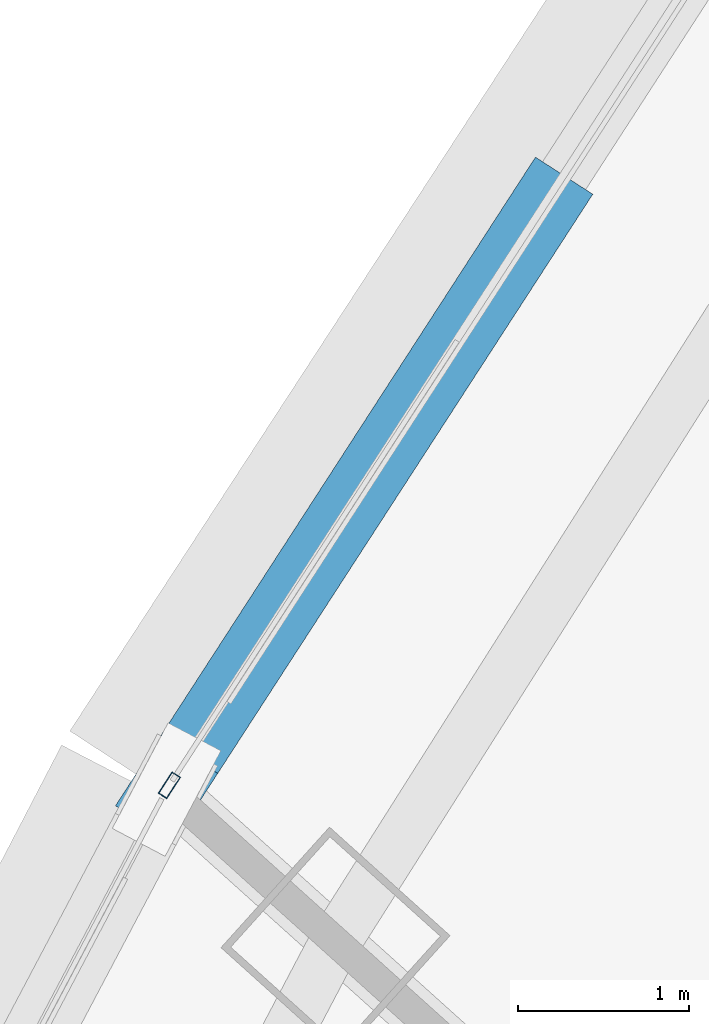
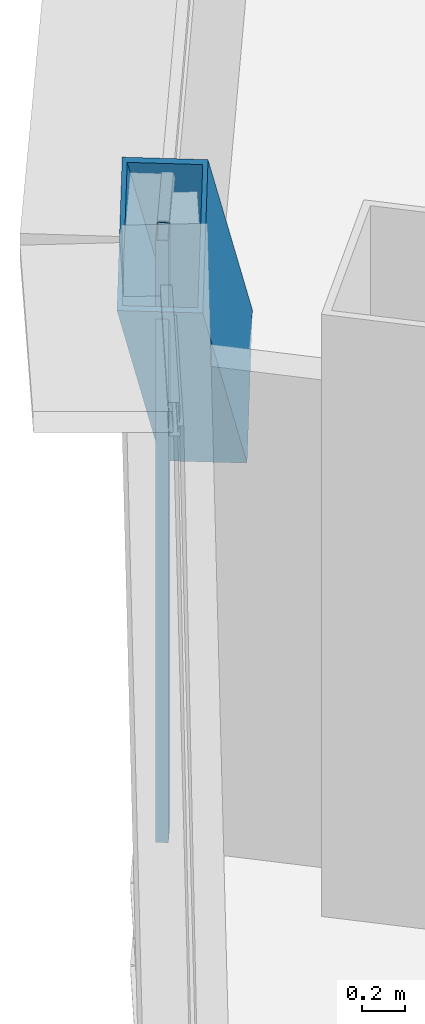
# One storey, part 18 of 41: 2 members, 1 element without a shape of its own.
"""IFC4 building model written with IfcOpenShell, lengths in metres."""

import ifcopenshell
import ifcopenshell.guid

model = None  # the IFC model being written
_history = None  # IfcOwnerHistory: only IFC2X3 demands one
_inside = {}  # id of a spatial element -> (the spatial element, [elements in it])
_under = {}  # id of a project, library or spatial element -> (it, [spatial elements below it])
_declared = {}  # id of a project -> (the project, [libraries it declares])
_typed = {}  # id of a type object -> (the type object, [elements of that type])
_made_of = {}  # id of a material, layer set ... -> (it, [elements and type objects made of it])


def new_model(schema):
    """Start an empty IFC model of exactly this schema.

    Asked for "IFC4X3", IfcOpenShell would pick the latest addendum, in which some entities
    have other attributes; the version numbers below select the first issue.
    IFC2X3 requires an IfcOwnerHistory on every rooted entity: one is made here for all.
    """
    global model, _history
    if schema == "IFC4X3":
        model = ifcopenshell.file(schema_version=(4, 3, 0, 0))
    else:
        model = ifcopenshell.file(schema=schema)
    _inside.clear()
    _under.clear()
    _declared.clear()
    _typed.clear()
    _made_of.clear()
    _history = None
    if model.schema == "IFC2X3":
        org = make("IfcOrganization", Name="unknown")
        user = make(
            "IfcPersonAndOrganization",
            ThePerson=make("IfcPerson", FamilyName="unknown"),
            TheOrganization=org,
        )
        app = make(
            "IfcApplication",
            ApplicationDeveloper=org,
            Version="unknown",
            ApplicationFullName="unknown",
            ApplicationIdentifier="unknown",
        )
        _history = make(
            "IfcOwnerHistory",
            OwningUser=user,
            OwningApplication=app,
            ChangeAction="ADDED",
            CreationDate=0,
        )
    return model


def make(cls, **values):
    """One entity of the class cls with the attributes given. An attribute that is None is left unset."""
    return model.create_entity(
        cls, **{name: value for name, value in values.items() if value is not None}
    )


def rooted(cls, **values):
    """An entity with a GlobalId (a new one), such as an element, a storey or a relation."""
    return make(cls, GlobalId=ifcopenshell.guid.new(), OwnerHistory=_history, **values)


def si_unit(unit_type, name, prefix=None):
    """IfcSIUnit, for example si_unit("LENGTHUNIT", "METRE", prefix="MILLI")."""
    return make("IfcSIUnit", UnitType=unit_type, Prefix=prefix, Name=name)


def assignment(units):
    """IfcUnitAssignment: the units of a project."""
    return None if units is None else make("IfcUnitAssignment", Units=units)


def point(xyz):
    """IfcCartesianPoint."""
    return None if xyz is None else make("IfcCartesianPoint", Coordinates=xyz)


def direction(xyz):
    """IfcDirection."""
    return None if xyz is None else make("IfcDirection", DirectionRatios=xyz)


def frame(location, z_axis=None, x_axis=None):
    """IfcAxis2Placement3D, a coordinate frame: its origin and axes. An axis left out is left unset."""
    return make(
        "IfcAxis2Placement3D",
        Location=point(location),
        Axis=direction(z_axis),
        RefDirection=direction(x_axis),
    )


def frame_2d(location, x_axis=None):
    """IfcAxis2Placement2D, a coordinate frame in the plane: its origin and x axis."""
    return make(
        "IfcAxis2Placement2D", Location=point(location), RefDirection=direction(x_axis)
    )


def origin():
    """The frame at (0, 0, 0) with its axes left unset."""
    return frame((0.0, 0.0, 0.0))


def origin_2d():
    """The frame at (0, 0) in the plane with its x axis left unset."""
    return frame_2d((0.0, 0.0))


def place(relative_to, where):
    """IfcLocalPlacement: puts the frame where relative to a parent placement (None: the world)."""
    return make(
        "IfcLocalPlacement", PlacementRelTo=relative_to, RelativePlacement=where
    )


def context(
    kind, dimensions, precision=None, world=None, true_north=None, identifier=None
):
    """IfcGeometricRepresentationContext, for example the 3D "Model" context."""
    return make(
        "IfcGeometricRepresentationContext",
        ContextIdentifier=identifier,
        ContextType=kind,
        CoordinateSpaceDimension=dimensions,
        Precision=precision,
        WorldCoordinateSystem=world,
        TrueNorth=true_north,
    )


def subcontext(parent, identifier, kind, view, scale=None):
    """IfcGeometricRepresentationSubContext, for example "Body" below "Model"."""
    return make(
        "IfcGeometricRepresentationSubContext",
        ContextIdentifier=identifier,
        ContextType=kind,
        ParentContext=parent,
        TargetScale=scale,
        TargetView=view,
    )


def project(units=None, contexts=None):
    """IfcProject with its units and contexts."""
    return rooted(
        "IfcProject",
        Name="project",
        RepresentationContexts=contexts,
        UnitsInContext=assignment(units),
    )


def spatial(cls, under=None, at=None, **own):
    """A site, building, storey or space (cls), placed at a placement, below another one or the project."""
    s = rooted(cls, ObjectPlacement=at, **own)
    if under is not None:
        _under.setdefault(under.id(), (under, []))[1].append(s)
    return s


def profile(cls, at=None, kind="AREA", **sizes):
    """A parametric profile (cls). Its sizes go by their IFC names, for example OverallWidth=200.0."""
    return make(cls, ProfileType=kind, Position=at, **sizes)


def hollow_rectangle(**sizes):
    """IfcRectangleHollowProfileDef."""
    return profile("IfcRectangleHollowProfileDef", **sizes)


def extrude(swept, where, along, depth):
    """IfcExtrudedAreaSolid: the profile swept, set in the frame where, extruded along a direction by depth."""
    return make(
        "IfcExtrudedAreaSolid",
        SweptArea=swept,
        Position=where,
        ExtrudedDirection=direction(along),
        Depth=depth,
    )


def shape(context_of_items, identifier, shape_type, items):
    """IfcShapeRepresentation: the items that make up one representation, for example the "Body"."""
    return make(
        "IfcShapeRepresentation",
        ContextOfItems=context_of_items,
        RepresentationIdentifier=identifier,
        RepresentationType=shape_type,
        Items=items,
    )


def source(mapping_origin, context_of_items, identifier, shape_type, items):
    """IfcRepresentationMap: a shape defined once, which mapped items show again and again."""
    return make(
        "IfcRepresentationMap",
        MappingOrigin=mapping_origin,
        MappedRepresentation=shape(context_of_items, identifier, shape_type, items),
    )


def transform(
    local_origin,
    x_axis=None,
    y_axis=None,
    z_axis=None,
    scale=None,
    scale2=None,
    scale3=None,
    uniform=True,
):
    """IfcCartesianTransformationOperator3D, or its non-uniform kind. x_axis, y_axis, z_axis: its Axis1, 2, 3."""
    if uniform:
        return make(
            "IfcCartesianTransformationOperator3D",
            Axis1=direction(x_axis),
            Axis2=direction(y_axis),
            LocalOrigin=point(local_origin),
            Scale=scale,
            Axis3=direction(z_axis),
        )
    return make(
        "IfcCartesianTransformationOperator3DnonUniform",
        Axis1=direction(x_axis),
        Axis2=direction(y_axis),
        LocalOrigin=point(local_origin),
        Scale=scale,
        Axis3=direction(z_axis),
        Scale2=scale2,
        Scale3=scale3,
    )


def mapped(mapping_source, mapping_target):
    """IfcMappedItem: shows the shape of a source again, moved by a transform."""
    return make(
        "IfcMappedItem", MappingSource=mapping_source, MappingTarget=mapping_target
    )


def material(Name=None, Category=None):
    """IfcMaterial."""
    return make("IfcMaterial", Name=Name, Category=Category)


def layer(
    of_material, thickness, ventilated=None, Name=None, Category=None, Priority=None
):
    """IfcMaterialLayer: one layer of a wall or slab, of a material (None: an air gap)."""
    return make(
        "IfcMaterialLayer",
        Material=of_material,
        LayerThickness=thickness,
        IsVentilated=ventilated,
        Name=Name,
        Category=Category,
        Priority=Priority,
    )


def layer_set(layers, Name=None):
    """IfcMaterialLayerSet."""
    return make("IfcMaterialLayerSet", MaterialLayers=layers, LayerSetName=Name)


def material_profile(
    of_material, cross_section, Name=None, Category=None, Priority=None
):
    """IfcMaterialProfile: a cross section and its material."""
    return make(
        "IfcMaterialProfile",
        Name=Name,
        Material=of_material,
        Profile=cross_section,
        Priority=Priority,
        Category=Category,
    )


def profile_set(profiles, Name=None, composite=None):
    """IfcMaterialProfileSet."""
    return make(
        "IfcMaterialProfileSet",
        Name=Name,
        MaterialProfiles=profiles,
        CompositeProfile=composite,
    )


def made_of(thing, what):
    """Note that an element or type object is made of a material, layer set ...; save() writes the relation."""
    if what is not None:
        _made_of.setdefault(what.id(), (what, []))[1].append(thing)
    return thing


def type_object(cls, material=None, **own):
    """A type object (cls), such as IfcWallType, which elements share."""
    return made_of(rooted(cls, **own), material)


def element(
    cls,
    number,
    at=None,
    inside=None,
    cuts=None,
    type_object=None,
    material=None,
    context=None,
    identifier="Body",
    shape_type=None,
    held_by="IfcProductDefinitionShape",
    body=None,
    shapes=None,
    **own,
):
    """One element of the class cls, such as IfcWall. Its Tag is "e" and its number.

    at: its placement. inside: the storey or other place that contains it. cuts: it is an
    opening in that element (IfcRelVoidsElement). A single representation is given by context,
    identifier, shape_type and body (its items); several are given by shapes. held_by: the class
    of the entity that holds the representations. save() writes the other relations.
    """
    e = rooted(cls, Tag="e%d" % number, ObjectPlacement=at, **own)
    if body is not None:
        shapes = [shape(context, identifier, shape_type, body)]
    if shapes is not None:
        e.Representation = make(held_by, Representations=shapes)
    if inside is not None:
        _inside.setdefault(inside.id(), (inside, []))[1].append(e)
    if cuts is not None:
        rooted(
            "IfcRelVoidsElement", RelatingBuildingElement=cuts, RelatedOpeningElement=e
        )
    if type_object is not None:
        _typed.setdefault(type_object.id(), (type_object, []))[1].append(e)
    return made_of(e, material)


def aggregate(whole, parts):
    """IfcRelAggregates: a whole, such as a stair, and the parts it consists of."""
    return rooted("IfcRelAggregates", RelatingObject=whole, RelatedObjects=parts)


def save(model, path):
    """Write the relations noted so far, then the file.

    IfcRelAggregates (storeys below a building ...), IfcRelContainedInSpatialStructure (elements
    in a storey), IfcRelDefinesByType, IfcRelAssociatesMaterial and IfcRelDeclares: one each for
    every whole, place, type object, material and project.
    """
    for whole, parts in _under.values():
        aggregate(whole, parts)
    for where, things in _inside.values():
        rooted(
            "IfcRelContainedInSpatialStructure",
            RelatedElements=things,
            RelatingStructure=where,
        )
    for kind, things in _typed.values():
        rooted("IfcRelDefinesByType", RelatedObjects=things, RelatingType=kind)
    for what, things in _made_of.values():
        rooted("IfcRelAssociatesMaterial", RelatedObjects=things, RelatingMaterial=what)
    for by, libraries in _declared.values():
        rooted("IfcRelDeclares", RelatingContext=by, RelatedDefinitions=libraries)
    model.write(path)


model = new_model("IFC4")

# Units and contexts
model_context = context("Model", 3, precision=1e-05, world=origin(), true_north=direction((0.0, 1.0)))
body_context = subcontext(model_context, "Body", "Model", "MODEL_VIEW")
ifc_project = project(units=[si_unit("LENGTHUNIT", "METRE"), si_unit("AREAUNIT", "SQUARE_METRE"), si_unit("VOLUMEUNIT", "CUBIC_METRE"), si_unit("PLANEANGLEUNIT", "RADIAN"), si_unit("MASSUNIT", "GRAM", prefix="KILO"), si_unit("THERMODYNAMICTEMPERATUREUNIT", "KELVIN"), si_unit("POWERUNIT", "WATT")], contexts=[model_context])

# Site, building, storey
site_placement = place(None, origin())
site = spatial("IfcSite", under=ifc_project, at=site_placement, CompositionType="ELEMENT")
building_placement = place(site_placement, origin())
building = spatial("IfcBuilding", under=site, at=building_placement, Name="Yunzhuo Pagoda Commons", CompositionType="ELEMENT")
storey_placement = place(building_placement, frame((0.0, 0.0, 155.590087890625)))
storey = spatial("IfcBuildingStorey", under=building, at=storey_placement, Name="L39", CompositionType="ELEMENT", Elevation=155.590087890625)

# Member
ifc_material_1 = material(Name="Structural steel Q355B", Category="steel")
ifc_material_profile_1 = material_profile(ifc_material_1, hollow_rectangle(XDim=0.39990234375, YDim=0.719970703125, WallThickness=0.02392578125, at=origin_2d()), Name="Structural steel Q355B")
ifc_profile_set_1 = profile_set([ifc_material_profile_1], Name="Structural steel Q355B")
member_type_1 = type_object("IfcMemberType", Name="M-DL2 Brace BOX 720x400x24", PredefinedType="BRACE", material=ifc_profile_set_1)
shared_shape_1 = source(origin(), body_context, "Body", "SweptSolid", [
    extrude(hollow_rectangle(XDim=0.39990234375, YDim=0.719970703125, WallThickness=0.02392578125, at=origin_2d()), origin(), (0.0, 0.0, 1.0), 5.466552734375),
])
member_1_placement = place(storey_placement, frame((25.441650390625, 59.383056640625, -0.260009765625), z_axis=(-0.401950076306, -0.620700240056, 0.673177055574), x_axis=(0.839372417782, -0.543556753492, 0.0)))
element("IfcMember", 1, at=member_1_placement, inside=storey, type_object=member_type_1, Name="L39 facade diamond brace F3.1R", PredefinedType="BRACE", context=body_context, shape_type="MappedRepresentation", body=[
    mapped(shared_shape_1, transform((0.0, 0.0, 0.0), scale=1.0)),
])

# Curtain wall, member
ifc_material_2 = material(Name="Anodized aluminium 6063-T6", Category="aluminium")
ifc_layer = layer(ifc_material_2, 0.14990234375)
ifc_layer_set = layer_set([ifc_layer], Name="Anodized aluminium 6063-T6")
curtain_wall_type = type_object("IfcCurtainWallType", Name="CW-MID Mid-Zone Ribbon Curtain Wall", PredefinedType="NOTDEFINED", material=ifc_layer_set)
curtain_wall_placement = place(storey_placement, origin())
curtain_wall = element("IfcCurtainWall", 2, at=curtain_wall_placement, inside=storey, type_object=curtain_wall_type, Name="L39 curtain wall CW-L39-F3B2", PredefinedType="NOTDEFINED")
ifc_material_profile_2 = material_profile(ifc_material_2, hollow_rectangle(XDim=0.06005859375, YDim=0.14990234375, WallThickness=0.00390625, at=origin_2d()), Name="Anodized aluminium 6063-T6")
ifc_profile_set_2 = profile_set([ifc_material_profile_2], Name="Anodized aluminium 6063-T6")
member_type_2 = type_object("IfcMemberType", Name="CW-MID-M Mullion RHS 150x60x4", PredefinedType="MULLION", material=ifc_profile_set_2)
shared_shape_2 = source(origin(), body_context, "Body", "SweptSolid", [
    extrude(hollow_rectangle(XDim=0.06005859375, YDim=0.14990234375, WallThickness=0.00390625, at=origin_2d()), origin(), (0.0, 0.0, 1.0), 3.419921875),
])
member_2_placement = place(storey_placement, frame((23.2607421875, 56.01513671875, 0.0), z_axis=(0.0, 0.0, 1.0), x_axis=(0.839392571637, -0.543525630197, 0.0)))
member_2 = element("IfcMember", 3, at=member_2_placement, type_object=member_type_2, Name="CW mullion 2", PredefinedType="MULLION", context=body_context, shape_type="MappedRepresentation", body=[
    mapped(shared_shape_2, transform((0.0, 0.0, 0.0), scale=1.0)),
])
aggregate(curtain_wall, [member_2])

save(model, "model.ifc")
